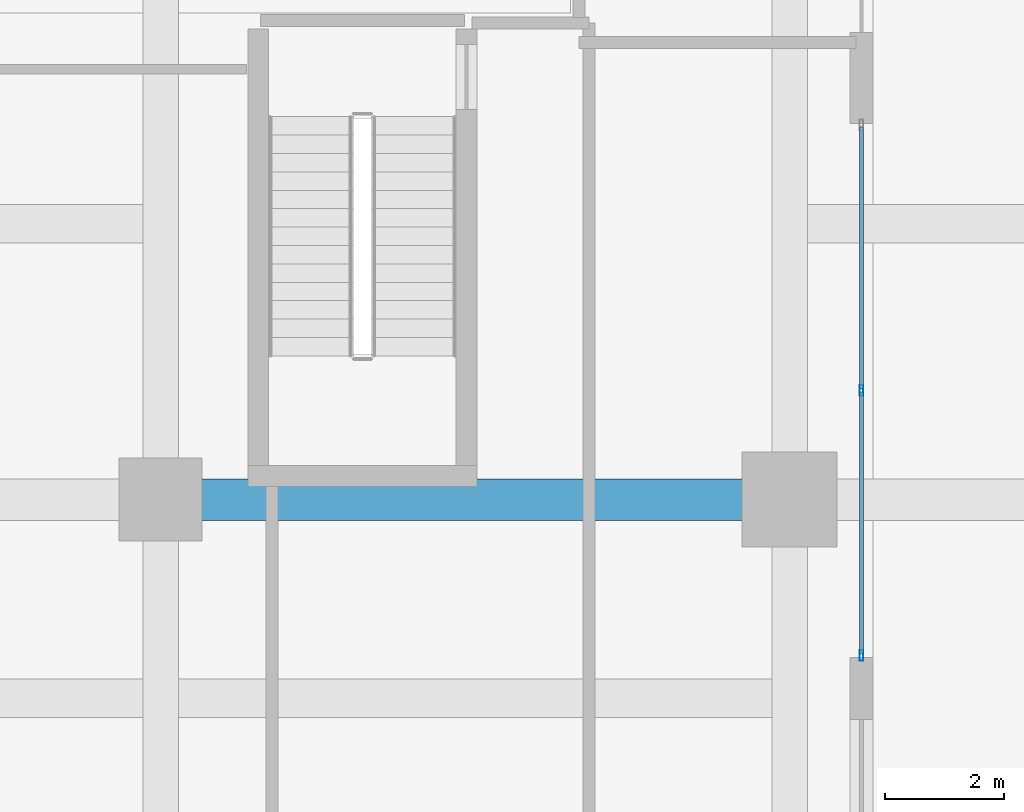
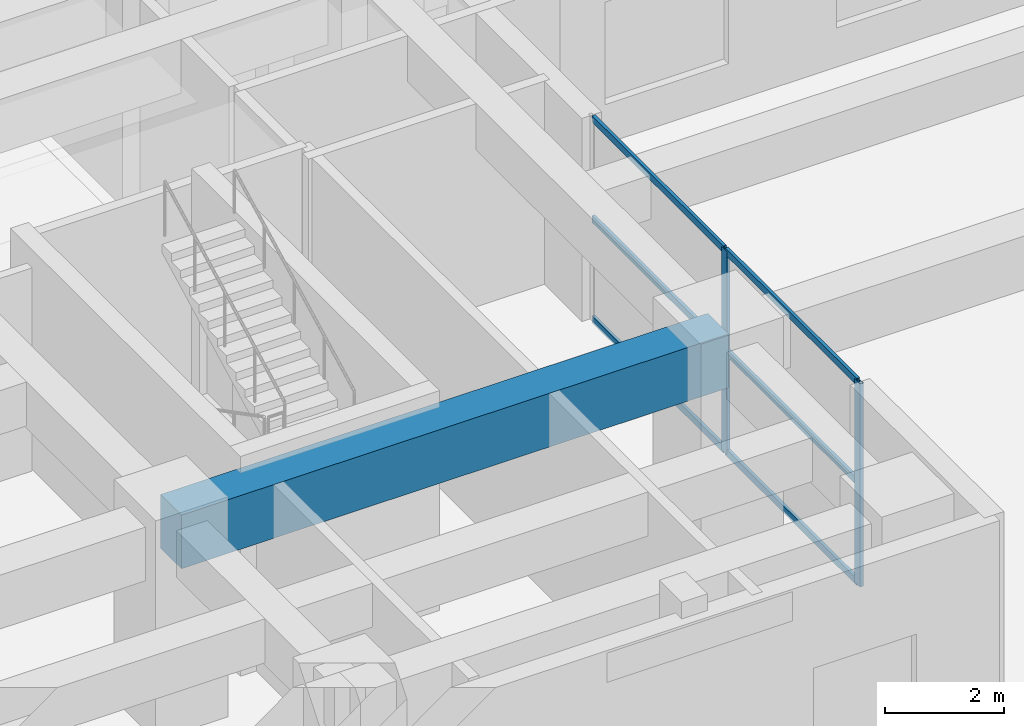
# One storey, part 8 of 39: 8 members, 1 beam, 1 element without a shape of its own.
"""IFC4 building model written with IfcOpenShell, lengths in metres."""

from ifc_helpers import new_model, si_unit, direction, frame, origin, origin_2d, place, context, subcontext, project, spatial, rectangle, hollow_rectangle, extrude, source, transform, mapped, material, layer, layer_set, material_profile, profile_set, type_object, element, aggregate, save


model = new_model("IFC4")

# Units and contexts
model_context = context("Model", 3, precision=1e-05, world=origin(), true_north=direction((0.0, 1.0)))
body_context = subcontext(model_context, "Body", "Model", "MODEL_VIEW")
ifc_project = project(units=[si_unit("LENGTHUNIT", "METRE"), si_unit("AREAUNIT", "SQUARE_METRE"), si_unit("VOLUMEUNIT", "CUBIC_METRE"), si_unit("PLANEANGLEUNIT", "RADIAN"), si_unit("MASSUNIT", "GRAM", prefix="KILO")], contexts=[model_context])

# Site, building, storey
site_placement = place(None, origin())
site = spatial("IfcSite", under=ifc_project, at=site_placement, CompositionType="ELEMENT")
building_placement = place(site_placement, origin())
building = spatial("IfcBuilding", under=site, at=building_placement, Name="Khoralis Quay Care Tower", CompositionType="ELEMENT")
storey_placement = place(building_placement, origin())
storey = spatial("IfcBuildingStorey", under=building, at=storey_placement, Name="L00", CompositionType="ELEMENT", Elevation=0.0)

# Beam
ifc_material_1 = material(Name="Concrete C65/80", Category="concrete")
ifc_material_profile_1 = material_profile(ifc_material_1, rectangle(XDim=0.699951171875, YDim=1.10009765625, at=origin_2d()), Name="Concrete C65/80")
ifc_profile_set_1 = profile_set([ifc_material_profile_1], Name="Concrete C65/80")
beam_type = type_object("IfcBeamType", Name="BM-RC700X1100", PredefinedType="BEAM", material=ifc_profile_set_1)
shared_shape_1 = source(origin(), body_context, "Body", "SweptSolid", [
    extrude(rectangle(XDim=0.699951171875, YDim=1.10009765625, at=origin_2d()), origin(), (0.0, 0.0, 1.0), 10.60009765625),
])
beam_placement = place(storey_placement, frame((24.0, 1.35009765625, 3.610107421875), z_axis=(1.0, 0.0, 0.0), x_axis=(0.0, 1.0, 0.0)))
element("IfcBeam", 1, at=beam_placement, inside=storey, type_object=beam_type, Name="BM-PODX-L00-06", PredefinedType="BEAM", context=body_context, shape_type="MappedRepresentation", body=[
    mapped(shared_shape_1, transform((0.0, 0.0, 0.0), scale=1.0)),
])

# Curtain wall, members
ifc_material_2 = material(Name="Pale anodised aluminium", Category="aluminium")
ifc_layer = layer(ifc_material_2, 0.179931640625)
ifc_layer_set = layer_set([ifc_layer], Name="Pale anodised aluminium")
curtain_wall_type = type_object("IfcCurtainWallType", Name="CW-SYS-Z1", PredefinedType="NOTDEFINED", material=ifc_layer_set)
curtain_wall_placement = place(storey_placement, origin())
curtain_wall = element("IfcCurtainWall", 2, at=curtain_wall_placement, inside=storey, type_object=curtain_wall_type, Name="L00 Unitised Curtain Wall CW-POD-L00-E1", PredefinedType="NOTDEFINED")
ifc_material_profile_2 = material_profile(ifc_material_2, hollow_rectangle(XDim=0.06494140625, YDim=0.179931640625, WallThickness=0.00390625, at=origin_2d()), Name="Pale anodised aluminium")
ifc_profile_set_2 = profile_set([ifc_material_profile_2], Name="Pale anodised aluminium")
member_type_1 = type_object("IfcMemberType", Name="CW-MUL-180", PredefinedType="MULLION", material=ifc_profile_set_2)
shared_shape_2 = source(origin(), body_context, "Body", "SweptSolid", [
    extrude(hollow_rectangle(XDim=0.06494140625, YDim=0.179931640625, WallThickness=0.00390625, at=origin_2d()), origin(), (0.0, 0.0, 1.0), 4.159912109375),
])
member_1_placement = place(storey_placement, frame((35.81005859375, -1.280029296875, 0.0), z_axis=(0.0, 0.0, 1.0), x_axis=(-1.0, 0.0, 0.0)))
member_1 = element("IfcMember", 3, at=member_1_placement, type_object=member_type_1, Name="CW1 mullion 1", PredefinedType="MULLION", context=body_context, shape_type="MappedRepresentation", body=[
    mapped(shared_shape_2, transform((0.0, 0.0, 0.0), scale=1.0)),
])
member_2_placement = place(storey_placement, frame((35.81005859375, 3.18994140625, 0.0), z_axis=(0.0, 0.0, 1.0), x_axis=(-1.0, 0.0, 0.0)))
member_2 = element("IfcMember", 4, at=member_2_placement, type_object=member_type_1, Name="CW1 mullion 2", PredefinedType="MULLION", context=body_context, shape_type="MappedRepresentation", body=[
    mapped(shared_shape_2, transform((0.0, 0.0, 0.0), scale=1.0)),
])
ifc_material_profile_3 = material_profile(ifc_material_2, hollow_rectangle(XDim=0.06005859375, YDim=0.139892578125, WallThickness=0.00390625, at=origin_2d()), Name="Pale anodised aluminium")
ifc_profile_set_3 = profile_set([ifc_material_profile_3], Name="Pale anodised aluminium")
member_type_2 = type_object("IfcMemberType", Name="CW-TRN-140", PredefinedType="USERDEFINED", material=ifc_profile_set_3)
shared_shape_3 = source(origin(), body_context, "Body", "SweptSolid", [
    extrude(hollow_rectangle(XDim=0.06005859375, YDim=0.139892578125, WallThickness=0.00390625, at=origin_2d()), origin(), (0.0, 0.0, 1.0), 4.409912109375),
])
member_3_placement = place(storey_placement, frame((35.81005859375, -1.25, 0.030029296875), z_axis=(0.0, 1.0, 0.0), x_axis=(-1.0, 0.0, 0.0)))
member_3 = element("IfcMember", 5, at=member_3_placement, type_object=member_type_2, Name="CW1 transom 1.1", ObjectType="TRANSOM", PredefinedType="USERDEFINED", context=body_context, shape_type="MappedRepresentation", body=[
    mapped(shared_shape_3, transform((0.0, 0.0, 0.0), scale=1.0)),
])
member_4_placement = place(storey_placement, frame((35.81005859375, -1.25, 2.080078125), z_axis=(0.0, 1.0, 0.0), x_axis=(-1.0, 0.0, 0.0)))
member_4 = element("IfcMember", 6, at=member_4_placement, type_object=member_type_2, Name="CW1 transom 1.2", ObjectType="TRANSOM", PredefinedType="USERDEFINED", context=body_context, shape_type="MappedRepresentation", body=[
    mapped(shared_shape_3, transform((0.0, 0.0, 0.0), scale=1.0)),
])
member_5_placement = place(storey_placement, frame((35.81005859375, -1.25, 4.1298828125), z_axis=(0.0, 1.0, 0.0), x_axis=(-1.0, 0.0, 0.0)))
member_5 = element("IfcMember", 7, at=member_5_placement, type_object=member_type_2, Name="CW1 transom 1.3", ObjectType="TRANSOM", PredefinedType="USERDEFINED", context=body_context, shape_type="MappedRepresentation", body=[
    mapped(shared_shape_3, transform((0.0, 0.0, 0.0), scale=1.0)),
])
member_6_placement = place(storey_placement, frame((35.81005859375, 3.219970703125, 0.030029296875), z_axis=(0.0, 1.0, 0.0), x_axis=(-1.0, 0.0, 0.0)))
member_6 = element("IfcMember", 8, at=member_6_placement, type_object=member_type_2, Name="CW1 transom 2.1", ObjectType="TRANSOM", PredefinedType="USERDEFINED", context=body_context, shape_type="MappedRepresentation", body=[
    mapped(shared_shape_3, transform((0.0, 0.0, 0.0), scale=1.0)),
])
member_7_placement = place(storey_placement, frame((35.81005859375, 3.219970703125, 2.080078125), z_axis=(0.0, 1.0, 0.0), x_axis=(-1.0, 0.0, 0.0)))
member_7 = element("IfcMember", 9, at=member_7_placement, type_object=member_type_2, Name="CW1 transom 2.2", ObjectType="TRANSOM", PredefinedType="USERDEFINED", context=body_context, shape_type="MappedRepresentation", body=[
    mapped(shared_shape_3, transform((0.0, 0.0, 0.0), scale=1.0)),
])
member_8_placement = place(storey_placement, frame((35.81005859375, 3.219970703125, 4.1298828125), z_axis=(0.0, 1.0, 0.0), x_axis=(-1.0, 0.0, 0.0)))
member_8 = element("IfcMember", 10, at=member_8_placement, type_object=member_type_2, Name="CW1 transom 2.3", ObjectType="TRANSOM", PredefinedType="USERDEFINED", context=body_context, shape_type="MappedRepresentation", body=[
    mapped(shared_shape_3, transform((0.0, 0.0, 0.0), scale=1.0)),
])
aggregate(curtain_wall, [member_1, member_2, member_3, member_4, member_5, member_6, member_7, member_8])

save(model, "model.ifc")
